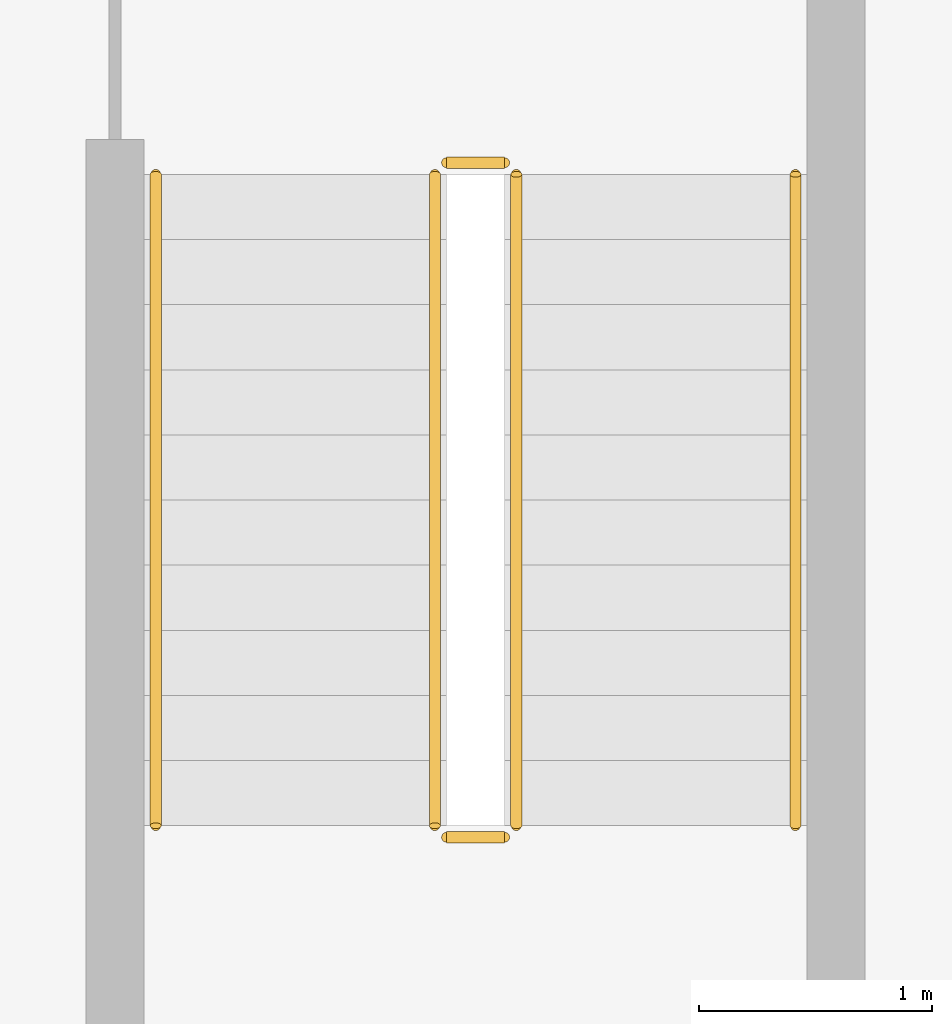
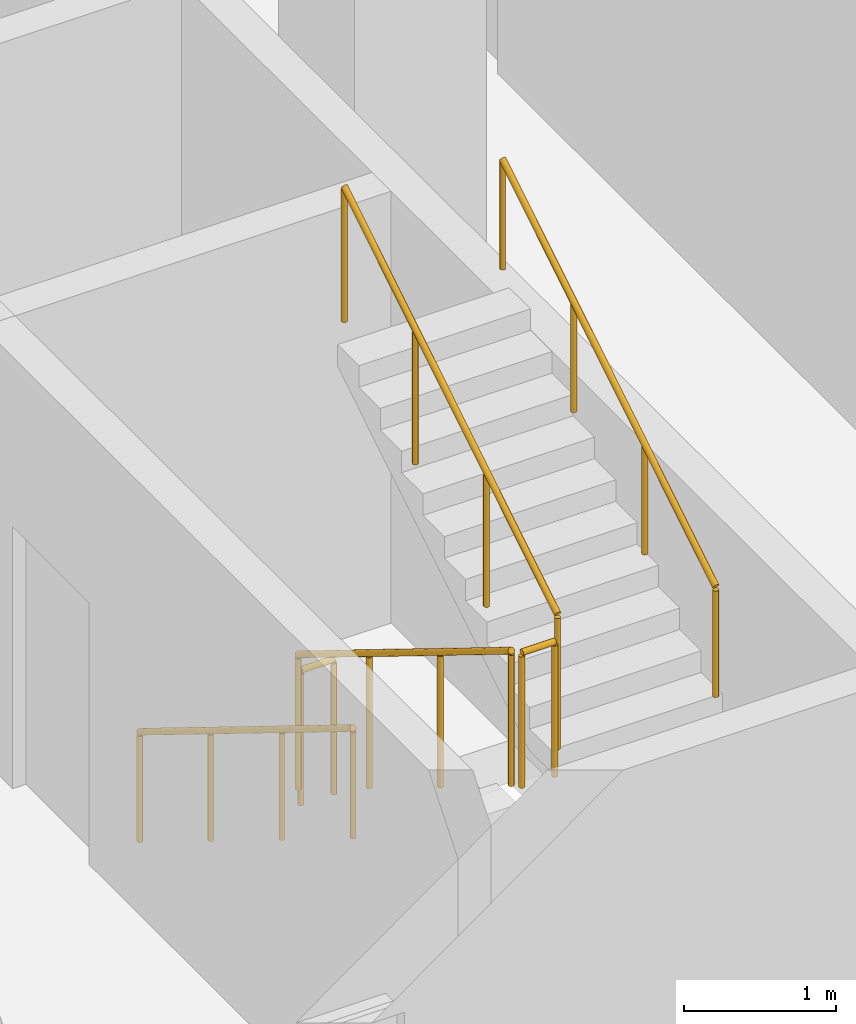
# One storey, part 27 of 32: 6 railings.
"""IFC4 building model written with IfcOpenShell, lengths in metres."""

from ifc_helpers import new_model, si_unit, direction, frame, origin, origin_2d, place, context, subcontext, project, spatial, circle, extrude, material, type_object, element, save


model = new_model("IFC4")

# Units and contexts
model_context = context("Model", 3, precision=1e-05, world=origin(), true_north=direction((0.0, 1.0)))
body_context = subcontext(model_context, "Body", "Model", "MODEL_VIEW")
ifc_project = project(units=[si_unit("LENGTHUNIT", "METRE"), si_unit("AREAUNIT", "SQUARE_METRE"), si_unit("VOLUMEUNIT", "CUBIC_METRE"), si_unit("PLANEANGLEUNIT", "RADIAN"), si_unit("MASSUNIT", "GRAM", prefix="KILO")], contexts=[model_context])

# Site, building, storey
site_placement = place(None, origin())
site = spatial("IfcSite", under=ifc_project, at=site_placement, CompositionType="ELEMENT")
building_placement = place(site_placement, origin())
building = spatial("IfcBuilding", under=site, at=building_placement, Name="Mahtab Terrace Research Tower", CompositionType="ELEMENT")
storey_placement = place(building_placement, frame((0.0, 0.0, 232.39990234375)))
storey = spatial("IfcBuildingStorey", under=building, at=storey_placement, Name="L56", CompositionType="ELEMENT", Elevation=232.39990234375)

# Railings
ifc_material = material(Name="Stainless steel AISI 304", Category="steel")
railing_type_1 = type_object("IfcRailingType", Name="Stair guard 1100", PredefinedType="GUARDRAIL", material=ifc_material)
railing_1_placement = place(storey_placement, frame((2.949951171875, -4.175048828125, 0.1728515625)))
element("IfcRailing", 1, at=railing_1_placement, inside=storey, type_object=railing_type_1, Name="L56 ST2 stair guard 1", PredefinedType="GUARDRAIL", context=body_context, shape_type="SweptSolid", body=[
    extrude(circle(Radius=0.02392578125, at=origin_2d()), frame((0.0, 0.0, 1.076171875), z_axis=(0.0, -0.851089632645, 0.525020415988), x_axis=(1.0, 0.0, 0.0)), (0.0, 0.0, 1.0), 3.2900390625),
    extrude(circle(Radius=0.02099609375, at=origin_2d()), origin(), (0.0, 0.0, 1.0), 1.052001953125),
    extrude(circle(Radius=0.02099609375, at=origin_2d()), frame((0.0, -0.933349609375, 0.57568359375)), (0.0, 0.0, 1.0), 1.052001953125),
    extrude(circle(Radius=0.02099609375, at=origin_2d()), frame((0.0, -1.86669921875, 1.151611328125)), (0.0, 0.0, 1.0), 1.052001953125),
    extrude(circle(Radius=0.02099609375, at=origin_2d()), frame((0.0, -2.800048828125, 1.727294921875)), (0.0, 0.0, 1.0), 1.052001953125),
])
railing_2_placement = place(storey_placement, frame((3.0, -7.02490234375, 1.900146484375)))
element("IfcRailing", 2, at=railing_2_placement, inside=storey, type_object=railing_type_1, Name="L56 ST2 stair guard 2", PredefinedType="GUARDRAIL", context=body_context, shape_type="SweptSolid", body=[
    extrude(circle(Radius=0.02392578125, at=origin_2d()), frame((0.0, 0.0, 1.076171875), z_axis=(1.0, 0.0, 0.0), x_axis=(0.0, 1.0, 0.0)), (0.0, 0.0, 1.0), 0.25),
    extrude(circle(Radius=0.02099609375, at=origin_2d()), origin(), (0.0, 0.0, 1.0), 1.052001953125),
    extrude(circle(Radius=0.02099609375, at=origin_2d()), frame((0.25, 0.0, 0.0)), (0.0, 0.0, 1.0), 1.052001953125),
])
railing_3_placement = place(storey_placement, frame((3.300048828125, -6.97509765625, 2.07275390625)))
element("IfcRailing", 3, at=railing_3_placement, inside=storey, type_object=railing_type_1, Name="L56 ST2 stair guard 3", PredefinedType="GUARDRAIL", context=body_context, shape_type="SweptSolid", body=[
    extrude(circle(Radius=0.02392578125, at=origin_2d()), frame((0.0, 0.0, 1.076171875), z_axis=(0.0, 0.851089632645, 0.525020415988), x_axis=(-1.0, 0.0, 0.0)), (0.0, 0.0, 1.0), 3.2900390625),
    extrude(circle(Radius=0.02099609375, at=origin_2d()), origin(), (0.0, 0.0, 1.0), 1.052001953125),
    extrude(circle(Radius=0.02099609375, at=origin_2d()), frame((0.0, 0.933349609375, 0.57568359375)), (0.0, 0.0, 1.0), 1.052001953125),
    extrude(circle(Radius=0.02099609375, at=origin_2d()), frame((0.0, 1.86669921875, 1.151611328125)), (0.0, 0.0, 1.0), 1.052001953125),
    extrude(circle(Radius=0.02099609375, at=origin_2d()), frame((0.0, 2.800048828125, 1.727294921875)), (0.0, 0.0, 1.0), 1.052001953125),
])
railing_4_placement = place(storey_placement, frame((3.0, -4.125, 0.0)))
element("IfcRailing", 4, at=railing_4_placement, inside=storey, type_object=railing_type_1, Name="L56 ST2 stair guard 4", PredefinedType="GUARDRAIL", context=body_context, shape_type="SweptSolid", body=[
    extrude(circle(Radius=0.02392578125, at=origin_2d()), frame((0.0, 0.0, 1.076171875), z_axis=(1.0, 0.0, 0.0), x_axis=(0.0, 1.0, 0.0)), (0.0, 0.0, 1.0), 0.25),
    extrude(circle(Radius=0.02099609375, at=origin_2d()), origin(), (0.0, 0.0, 1.0), 1.052001953125),
    extrude(circle(Radius=0.02099609375, at=origin_2d()), frame((0.25, 0.0, 0.0)), (0.0, 0.0, 1.0), 1.052001953125),
])
railing_type_2 = type_object("IfcRailingType", Name="Stair handrail 900", PredefinedType="HANDRAIL", material=ifc_material)
railing_5_placement = place(storey_placement, frame((1.75, -4.175048828125, 0.1728515625)))
element("IfcRailing", 5, at=railing_5_placement, inside=storey, type_object=railing_type_2, Name="L56 ST2 stair handrail 1", PredefinedType="HANDRAIL", context=body_context, shape_type="SweptSolid", body=[
    extrude(circle(Radius=0.02392578125, at=origin_2d()), frame((0.0, 0.0, 0.8759765625), z_axis=(0.0, -0.851089632645, 0.525020415988), x_axis=(1.0, 0.0, 0.0)), (0.0, 0.0, 1.0), 3.2900390625),
    extrude(circle(Radius=0.02099609375, at=origin_2d()), origin(), (0.0, 0.0, 1.0), 0.851806640625),
    extrude(circle(Radius=0.02099609375, at=origin_2d()), frame((0.0, -0.933349609375, 0.57568359375)), (0.0, 0.0, 1.0), 0.851806640625),
    extrude(circle(Radius=0.02099609375, at=origin_2d()), frame((0.0, -1.86669921875, 1.151611328125)), (0.0, 0.0, 1.0), 0.851806640625),
    extrude(circle(Radius=0.02099609375, at=origin_2d()), frame((0.0, -2.800048828125, 1.727294921875)), (0.0, 0.0, 1.0), 0.851806640625),
])
railing_6_placement = place(storey_placement, frame((4.5, -6.97509765625, 2.07275390625)))
element("IfcRailing", 6, at=railing_6_placement, inside=storey, type_object=railing_type_2, Name="L56 ST2 stair handrail 2", PredefinedType="HANDRAIL", context=body_context, shape_type="SweptSolid", body=[
    extrude(circle(Radius=0.02392578125, at=origin_2d()), frame((0.0, 0.0, 0.8759765625), z_axis=(0.0, 0.851089632645, 0.525020415988), x_axis=(-1.0, 0.0, 0.0)), (0.0, 0.0, 1.0), 3.2900390625),
    extrude(circle(Radius=0.02099609375, at=origin_2d()), origin(), (0.0, 0.0, 1.0), 0.851806640625),
    extrude(circle(Radius=0.02099609375, at=origin_2d()), frame((0.0, 0.933349609375, 0.57568359375)), (0.0, 0.0, 1.0), 0.851806640625),
    extrude(circle(Radius=0.02099609375, at=origin_2d()), frame((0.0, 1.86669921875, 1.151611328125)), (0.0, 0.0, 1.0), 0.851806640625),
    extrude(circle(Radius=0.02099609375, at=origin_2d()), frame((0.0, 2.800048828125, 1.727294921875)), (0.0, 0.0, 1.0), 0.851806640625),
])

save(model, "model.ifc")
